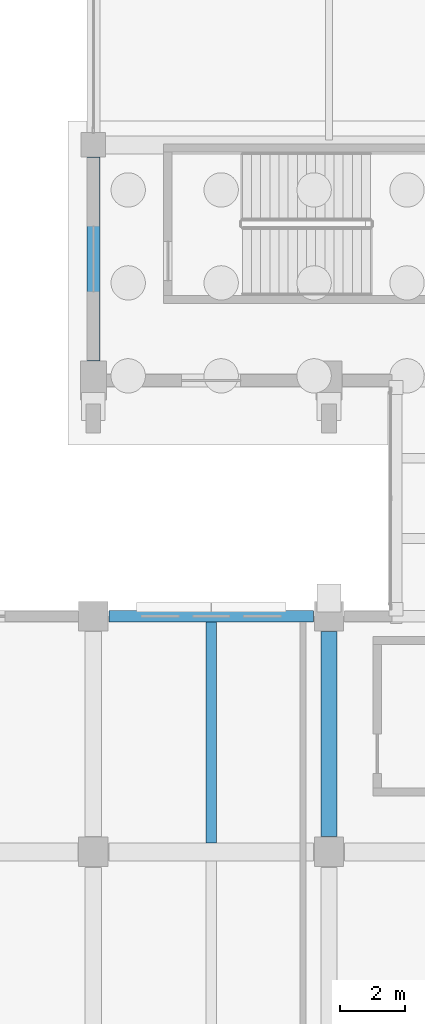
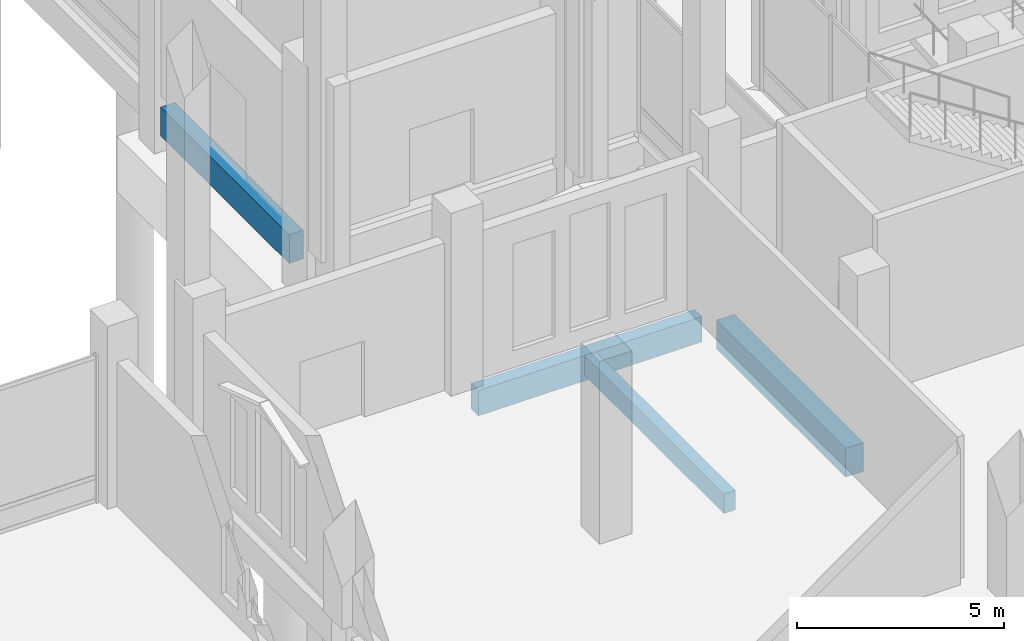
# One storey, part 85 of 192: 4 beams.
"""IFC4 building model written with IfcOpenShell, lengths in metres."""

from ifc_helpers import new_model, si_unit, direction, frame, origin, origin_2d, place, context, subcontext, project, spatial, rectangle, extrude, material, material_profile, profile_set, type_object, element, save


model = new_model("IFC4")

# Units and contexts
model_context = context("Model", 3, precision=1e-05, world=origin(), true_north=direction((0.0, 1.0)))
body_context = subcontext(model_context, "Body", "Model", "MODEL_VIEW")
ifc_project = project(units=[si_unit("LENGTHUNIT", "METRE"), si_unit("AREAUNIT", "SQUARE_METRE"), si_unit("VOLUMEUNIT", "CUBIC_METRE"), si_unit("PLANEANGLEUNIT", "RADIAN"), si_unit("MASSUNIT", "GRAM", prefix="KILO")], contexts=[model_context])

# Site, building, storey
site_placement = place(None, origin())
site = spatial("IfcSite", under=ifc_project, at=site_placement, CompositionType="ELEMENT")
building_placement = place(site_placement, origin())
building = spatial("IfcBuilding", under=site, at=building_placement, Name="Cendralis Lancet Convention Centre", CompositionType="ELEMENT")
storey_placement = place(building_placement, origin())
storey = spatial("IfcBuildingStorey", under=building, at=storey_placement, Name="L00", CompositionType="ELEMENT", Elevation=0.0)

# Beams
ifc_material_1 = material(Name="Concrete G35 (C35/45)", Category="concrete")
ifc_material_profile_1 = material_profile(ifc_material_1, rectangle(XDim=0.5, YDim=0.85009765625, at=origin_2d()), Name="RCB 500x850")
ifc_profile_set_1 = profile_set([ifc_material_profile_1], Name="Concrete G35 (C35/45)")
beam_type_1 = type_object("IfcBeamType", Name="STR-BM-BG08", PredefinedType="BEAM", material=ifc_profile_set_1)
beam_1_placement = place(storey_placement, frame((146.39990234375, 29.27490234375, -0.7451171875), z_axis=(0.0, 1.0, 0.0), x_axis=(-1.0, 0.0, 0.0)))
element("IfcBeam", 1, at=beam_1_placement, inside=storey, type_object=beam_type_1, Name="L00 Beam BG08 #0062", PredefinedType="BEAM", context=body_context, shape_type="SweptSolid", body=[
    extrude(rectangle(XDim=0.5, YDim=0.85009765625, at=origin_2d()), origin(), (0.0, 0.0, 1.0), 6.25),
])
ifc_material_profile_2 = material_profile(ifc_material_1, rectangle(XDim=0.320068359375, YDim=0.580078125, at=origin_2d()), Name="RCB 320x580")
ifc_profile_set_2 = profile_set([ifc_material_profile_2], Name="Concrete G35 (C35/45)")
beam_type_2 = type_object("IfcBeamType", Name="STR-JS-BJ01", PredefinedType="JOIST", material=ifc_profile_set_2)
beam_2_placement = place(storey_placement, frame((142.800048828125, 29.074951171875, -0.610107421875), z_axis=(0.0, 1.0, 0.0), x_axis=(-1.0, 0.0, 0.0)))
element("IfcBeam", 2, at=beam_2_placement, inside=storey, type_object=beam_type_2, Name="L00 Beam BJ01 #0100", PredefinedType="JOIST", context=body_context, shape_type="SweptSolid", body=[
    extrude(rectangle(XDim=0.320068359375, YDim=0.580078125, at=origin_2d()), origin(), (0.0, 0.0, 1.0), 6.75),
])
ifc_material_2 = material(Name="Concrete G40 (C40/50)", Category="concrete")
ifc_material_profile_3 = material_profile(ifc_material_2, rectangle(XDim=0.35009765625, YDim=0.75, at=origin_2d()), Name="RCB 350x750")
ifc_profile_set_3 = profile_set([ifc_material_profile_3], Name="Concrete G40 (C40/50)")
beam_type_3 = type_object("IfcBeamType", Name="STR-SP-SP01", PredefinedType="SPANDREL", material=ifc_profile_set_3)
beam_3_placement = place(storey_placement, frame((139.675048828125, 36.0, -0.695068359375), z_axis=(1.0, 0.0, 0.0), x_axis=(0.0, 1.0, 0.0)))
element("IfcBeam", 3, at=beam_3_placement, inside=storey, type_object=beam_type_3, Name="L00 Beam SP01 #0042", PredefinedType="SPANDREL", context=body_context, shape_type="SweptSolid", body=[
    extrude(rectangle(XDim=0.35009765625, YDim=0.75, at=origin_2d()), origin(), (0.0, 0.0, 1.0), 6.25),
])
ifc_material_profile_4 = material_profile(ifc_material_2, rectangle(XDim=0.39990234375, YDim=0.85009765625, at=origin_2d()), Name="RCB 400x850")
ifc_profile_set_4 = profile_set([ifc_material_profile_4], Name="Concrete G40 (C40/50)")
beam_type_4 = type_object("IfcBeamType", Name="STR-SP-SP02", PredefinedType="SPANDREL", material=ifc_profile_set_4)
beam_4_placement = place(storey_placement, frame((139.199951171875, 43.800048828125, -0.7451171875), z_axis=(0.0, 1.0, 0.0), x_axis=(-1.0, 0.0, 0.0)))
element("IfcBeam", 4, at=beam_4_placement, inside=storey, type_object=beam_type_4, Name="L00 Beam SP02 #1367", PredefinedType="SPANDREL", context=body_context, shape_type="SweptSolid", body=[
    extrude(rectangle(XDim=0.39990234375, YDim=0.85009765625, at=origin_2d()), origin(), (0.0, 0.0, 1.0), 6.224853515625),
])

save(model, "model.ifc")
